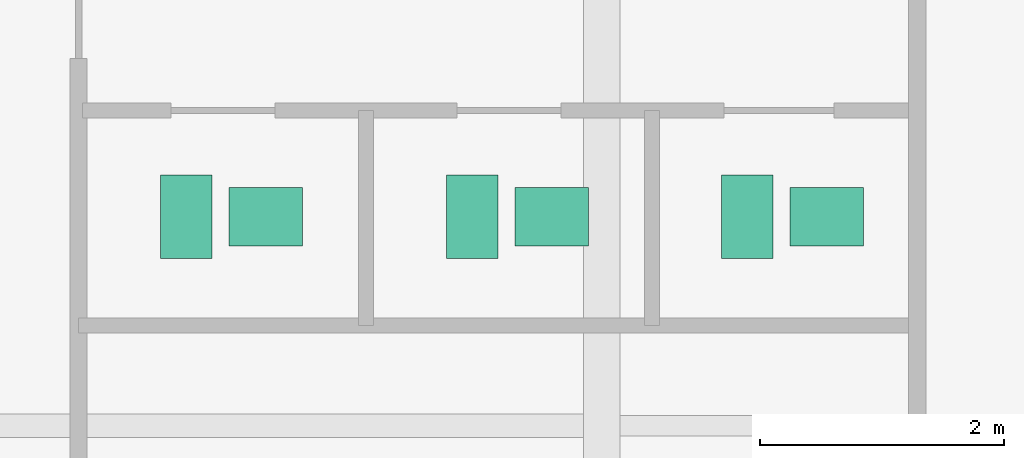
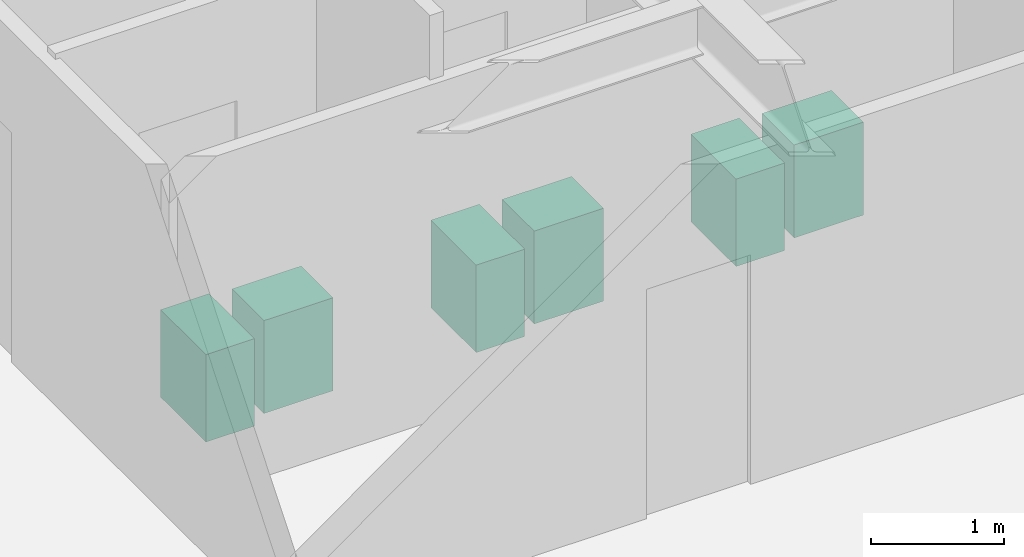
# One storey, part 27 of 27: 6 sanitary terminals.
"""IFC4 building model written with IfcOpenShell, lengths in metres."""

from ifc_helpers import new_model, si_unit, direction, frame, origin, origin_2d, place, context, subcontext, project, spatial, rectangle, extrude, source, transform, mapped, material, type_object, type_shapes, element, save


model = new_model("IFC4")

# Units and contexts
model_context = context("Model", 3, precision=1e-05, world=origin(), true_north=direction((0.0, 1.0)))
body_context = subcontext(model_context, "Body", "Model", "MODEL_VIEW")
ifc_project = project(units=[si_unit("LENGTHUNIT", "METRE"), si_unit("AREAUNIT", "SQUARE_METRE"), si_unit("VOLUMEUNIT", "CUBIC_METRE"), si_unit("PLANEANGLEUNIT", "RADIAN"), si_unit("MASSUNIT", "GRAM", prefix="KILO")], contexts=[model_context])

# Site, building, storey
site_placement = place(None, origin())
site = spatial("IfcSite", under=ifc_project, at=site_placement, CompositionType="ELEMENT")
building_placement = place(site_placement, origin())
building = spatial("IfcBuilding", under=site, at=building_placement, Name="Krantzveldt Concourse Tower", CompositionType="ELEMENT")
storey_placement = place(building_placement, frame((0.0, 0.0, 154.10009765625)))
storey = spatial("IfcBuildingStorey", under=building, at=storey_placement, Name="L37", CompositionType="ELEMENT", Elevation=154.10009765625)

# Sanitary terminals
ifc_material = material(Name="Vitreous china", Category="ceramic")
sanitary_terminal_type_1 = type_object("IfcSanitaryTerminalType", Name="SAN-WC-SUITE", PredefinedType="TOILETPAN", material=ifc_material)
shared_shape_1 = source(origin(), body_context, "Body", "SweptSolid", [
    extrude(rectangle(XDim=0.419921875, YDim=0.679931640625, at=origin_2d()), origin(), (0.0, 0.0, 1.0), 0.800048828125),
])
type_shapes(sanitary_terminal_type_1, [shared_shape_1])
for number, where, z_axis, x_axis, name in (
    (1, (38.0, 31.909912109375, 0.0), (0.0, 0.0, 1.0), (1.0, 0.0, 0.0), "WC-SP-L37-WCM"),
    (2, (40.340087890625, 31.909912109375, 0.0), (0.0, 0.0, 1.0), (1.0, 0.0, 0.0), "WC-SP-L37-WCF"),
    (3, (42.590087890625, 31.909912109375, 0.0), (0.0, 0.0, 1.0), (1.0, 0.0, 0.0), "WC-SP-L37-WCA"),
):
    element("IfcSanitaryTerminal", number, at=place(storey_placement, frame(where, z_axis=z_axis, x_axis=x_axis)), inside=storey, type_object=sanitary_terminal_type_1, Name=name, PredefinedType="TOILETPAN", context=body_context, shape_type="MappedRepresentation", body=[
        mapped(shared_shape_1, transform((0.0, 0.0, 0.0), x_axis=(1.0, 0.0, 0.0), y_axis=(0.0, 1.0, 0.0), z_axis=(0.0, 0.0, 1.0), scale=1.0)),
    ])
sanitary_terminal_type_2 = type_object("IfcSanitaryTerminalType", Name="SAN-BASIN-600", PredefinedType="WASHHANDBASIN", material=ifc_material)
shared_shape_2 = source(origin(), body_context, "Body", "SweptSolid", [
    extrude(rectangle(XDim=0.60009765625, YDim=0.47998046875, at=origin_2d()), origin(), (0.0, 0.0, 1.0), 0.85009765625),
])
type_shapes(sanitary_terminal_type_2, [shared_shape_2])
for number, where, z_axis, x_axis, name in (
    (4, (38.64990234375, 31.909912109375, 0.0048828125), (0.0, 0.0, 1.0), (1.0, 0.0, 0.0), "BSN-SP-L37-WCM"),
    (5, (40.989990234375, 31.909912109375, 0.0048828125), (0.0, 0.0, 1.0), (1.0, 0.0, 0.0), "BSN-SP-L37-WCF"),
    (6, (43.239990234375, 31.909912109375, 0.0048828125), (0.0, 0.0, 1.0), (1.0, 0.0, 0.0), "BSN-SP-L37-WCA"),
):
    element("IfcSanitaryTerminal", number, at=place(storey_placement, frame(where, z_axis=z_axis, x_axis=x_axis)), inside=storey, type_object=sanitary_terminal_type_2, Name=name, PredefinedType="WASHHANDBASIN", context=body_context, shape_type="MappedRepresentation", body=[
        mapped(shared_shape_2, transform((0.0, 0.0, 0.0), x_axis=(1.0, 0.0, 0.0), y_axis=(0.0, 1.0, 0.0), z_axis=(0.0, 0.0, 1.0), scale=1.0)),
    ])

save(model, "model.ifc")
